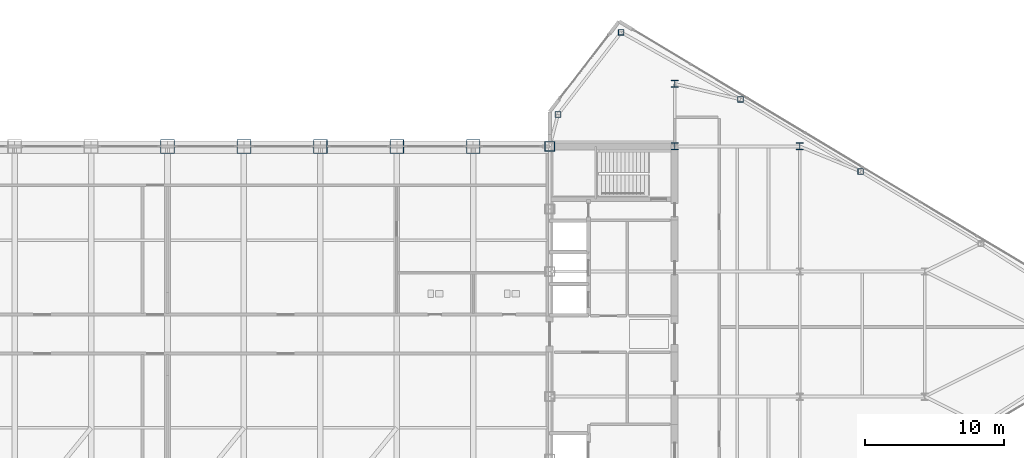
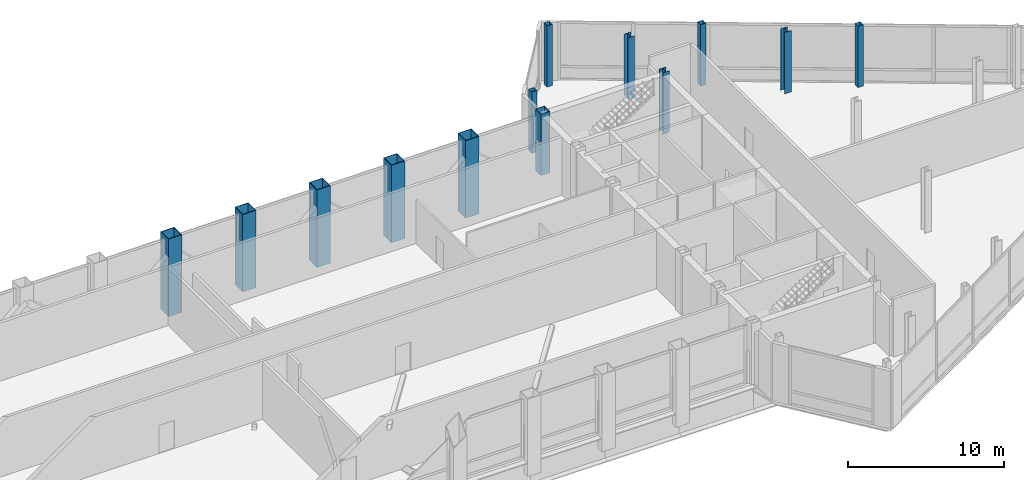
# One storey, part 6 of 29: 13 columns.
"""IFC4 building model written with IfcOpenShell, lengths in metres."""

from ifc_helpers import new_model, si_unit, direction, frame, origin, origin_2d, place, context, subcontext, project, spatial, hollow_rectangle, i_section, extrude, source, transform, mapped, material, material_profile, profile_set, type_object, type_shapes, element, save


model = new_model("IFC4")

# Units and contexts
model_context = context("Model", 3, precision=1e-05, world=origin(), true_north=direction((0.0, 1.0)))
body_context = subcontext(model_context, "Body", "Model", "MODEL_VIEW")
ifc_project = project(units=[si_unit("LENGTHUNIT", "METRE"), si_unit("AREAUNIT", "SQUARE_METRE"), si_unit("VOLUMEUNIT", "CUBIC_METRE"), si_unit("PLANEANGLEUNIT", "RADIAN"), si_unit("MASSUNIT", "GRAM", prefix="KILO")], contexts=[model_context])

# Site, building, storey
site_placement = place(None, origin())
site = spatial("IfcSite", under=ifc_project, at=site_placement, CompositionType="ELEMENT")
building_placement = place(site_placement, origin())
building = spatial("IfcBuilding", under=site, at=building_placement, Name="Seokmaru Belvedere", CompositionType="ELEMENT")
storey_placement = place(building_placement, frame((0.0, 0.0, 229.800048828125)))
storey = spatial("IfcBuildingStorey", under=building, at=storey_placement, Name="L61", CompositionType="ELEMENT", Elevation=229.800048828125)

# Columns
ifc_material_1 = material(Name="Steel SM355 (355 MPa)", Category="steel")
ifc_material_profile_1 = material_profile(ifc_material_1, hollow_rectangle(XDim=0.699951171875, YDim=0.699951171875, WallThickness=0.030029296875, at=origin_2d()), Name="BOX-700x700x30")
ifc_profile_set_1 = profile_set([ifc_material_profile_1], Name="Steel SM355 (355 MPa)")
column_type_1 = type_object("IfcColumnType", Name="Upper Spine Column BOX-700", PredefinedType="COLUMN", material=ifc_profile_set_1)
shared_shape_1 = source(origin(), body_context, "Body", "SweptSolid", [
    extrude(hollow_rectangle(XDim=0.699951171875, YDim=0.699951171875, WallThickness=0.030029296875, at=origin_2d()), origin(), (0.0, 0.0, 1.0), 4.800048828125),
])
type_shapes(column_type_1, [shared_shape_1])
column_placement = place(storey_placement, frame((27.5, 13.5, 0.0), z_axis=(0.0, 0.0, 1.0), x_axis=(1.0, 0.0, 0.0)))
element("IfcColumn", 1, at=column_placement, inside=storey, type_object=column_type_1, Name="L61 Column ES6", PredefinedType="COLUMN", context=body_context, shape_type="MappedRepresentation", body=[
    mapped(shared_shape_1, transform((0.0, 0.0, 0.0), scale=1.0)),
])
ifc_material_profile_2 = material_profile(ifc_material_1, i_section(OverallWidth=0.5, OverallDepth=0.5, WebThickness=0.02001953125, FlangeThickness=0.031982421875, at=origin_2d()), Name="H-500x500x20x32")
ifc_profile_set_2 = profile_set([ifc_material_profile_2], Name="Steel SM355 (355 MPa)")
column_type_2 = type_object("IfcColumnType", Name="High-Rise Interior Column H-500", PredefinedType="COLUMN", material=ifc_profile_set_2)
shared_shape_2 = source(origin(), body_context, "Body", "SweptSolid", [
    extrude(i_section(OverallWidth=0.5, OverallDepth=0.5, WebThickness=0.02001953125, FlangeThickness=0.031982421875, at=origin_2d()), origin(), (0.0, 0.0, 1.0), 4.800048828125),
])
type_shapes(column_type_2, [shared_shape_2])
for number, where, z_axis, x_axis, name in (
    (2, (36.5, 13.5, 0.0), (0.0, 0.0, 1.0), (1.0, 0.0, 0.0), "L61 Column EC3"),
    (3, (36.5, 18.0, 0.0), (0.0, 0.0, 1.0), (1.0, 0.0, 0.0), "L61 Column EC4"),
    (4, (45.5, 13.5, 0.0), (0.0, 0.0, 1.0), (1.0, 0.0, 0.0), "L61 Column EG5_4"),
):
    element("IfcColumn", number, at=place(storey_placement, frame(where, z_axis=z_axis, x_axis=x_axis)), inside=storey, type_object=column_type_2, Name=name, PredefinedType="COLUMN", context=body_context, shape_type="MappedRepresentation", body=[
        mapped(shared_shape_2, transform((0.0, 0.0, 0.0), scale=1.0)),
    ])
ifc_material_profile_3 = material_profile(ifc_material_1, hollow_rectangle(XDim=0.39990234375, YDim=0.39990234375, WallThickness=0.01611328125, at=origin_2d()), Name="HSS-400x400x16")
ifc_profile_set_3 = profile_set([ifc_material_profile_3], Name="Steel SM355 (355 MPa)")
column_type_3 = type_object("IfcColumnType", Name="Perimeter Facet Column HSS-400", PredefinedType="COLUMN", material=ifc_profile_set_3)
shared_shape_3 = source(origin(), body_context, "Body", "SweptSolid", [
    extrude(hollow_rectangle(XDim=0.39990234375, YDim=0.39990234375, WallThickness=0.01611328125, at=origin_2d()), origin(), (0.0, 0.0, 1.0), 4.800048828125),
])
type_shapes(column_type_3, [shared_shape_3])
for number, where, z_axis, x_axis, name in (
    (5, (32.649658203125, 21.71044921875, 0.0), (0.0, 0.0, 1.0), (1.0, 0.0, 0.0), "L61 Column EF4"),
    (6, (28.10009765625, 15.7958984375, 0.0), (0.0, 0.0, 1.0), (1.0, 0.0, 0.0), "L61 Column EF5"),
    (7, (41.229736328125, 16.888916015625, 0.0), (0.0, 0.0, 1.0), (1.0, 0.0, 0.0), "L61 Column EFLK_N1"),
    (8, (49.8798828125, 11.698974609375, 0.0), (0.0, 0.0, 1.0), (1.0, 0.0, 0.0), "L61 Column EFLK_N2"),
):
    element("IfcColumn", number, at=place(storey_placement, frame(where, z_axis=z_axis, x_axis=x_axis)), inside=storey, type_object=column_type_3, Name=name, PredefinedType="COLUMN", context=body_context, shape_type="MappedRepresentation", body=[
        mapped(shared_shape_3, transform((0.0, 0.0, 0.0), scale=1.0)),
    ])
ifc_material_2 = material(Name="Steel HSA650 (650 MPa)", Category="steel")
ifc_material_profile_4 = material_profile(ifc_material_2, hollow_rectangle(XDim=1.0, YDim=1.0, WallThickness=0.0419921875, at=origin_2d()), Name="BOX-1000x1000x42")
ifc_profile_set_4 = profile_set([ifc_material_profile_4], Name="Steel HSA650 (650 MPa)")
column_type_4 = type_object("IfcColumnType", Name="Portal Spine Column BOX-1000", PredefinedType="COLUMN", material=ifc_profile_set_4)
shared_shape_4 = source(origin(), body_context, "Body", "SweptSolid", [
    extrude(hollow_rectangle(XDim=1.0, YDim=1.0, WallThickness=0.0419921875, at=origin_2d()), origin(), (0.0, 0.0, 1.0), 6.06005859375),
])
type_shapes(column_type_4, [shared_shape_4])
for number, where, z_axis, x_axis, name in (
    (9, (0.0, 13.5, -1.260009765625), (0.0, 0.0, 1.0), (1.0, 0.0, 0.0), "L61 Column BRN_5"),
    (10, (5.5, 13.5, -1.260009765625), (0.0, 0.0, 1.0), (1.0, 0.0, 0.0), "L61 Column BRN_6"),
    (11, (11.0, 13.5, -1.260009765625), (0.0, 0.0, 1.0), (1.0, 0.0, 0.0), "L61 Column BRN_7"),
    (12, (16.5, 13.5, -1.260009765625), (0.0, 0.0, 1.0), (1.0, 0.0, 0.0), "L61 Column BRN_8"),
    (13, (22.0, 13.5, -1.260009765625), (0.0, 0.0, 1.0), (1.0, 0.0, 0.0), "L61 Column BRN_9"),
):
    element("IfcColumn", number, at=place(storey_placement, frame(where, z_axis=z_axis, x_axis=x_axis)), inside=storey, type_object=column_type_4, Name=name, PredefinedType="COLUMN", context=body_context, shape_type="MappedRepresentation", body=[
        mapped(shared_shape_4, transform((0.0, 0.0, 0.0), scale=1.0)),
    ])

save(model, "model.ifc")
